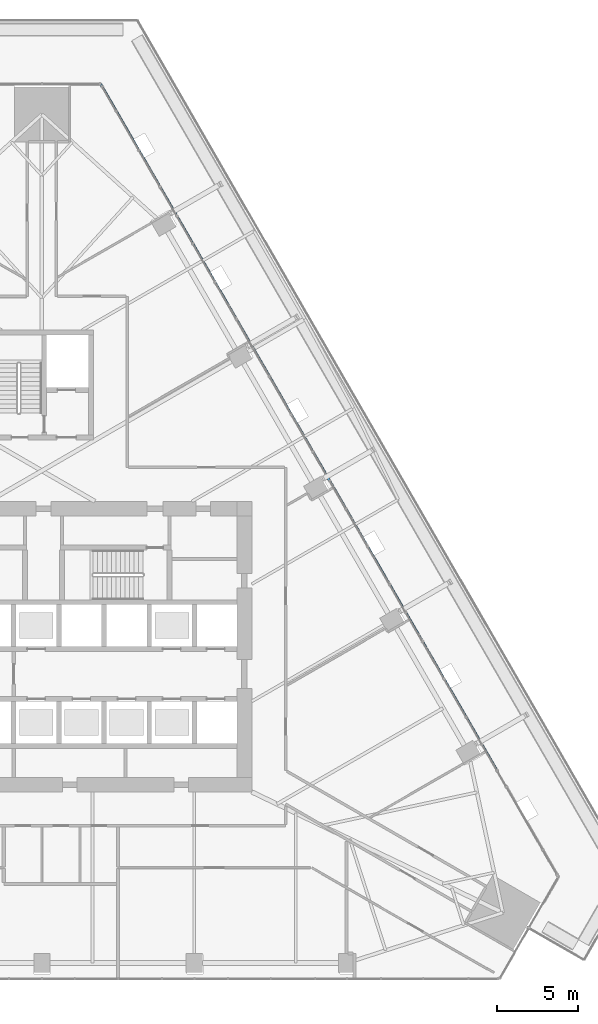
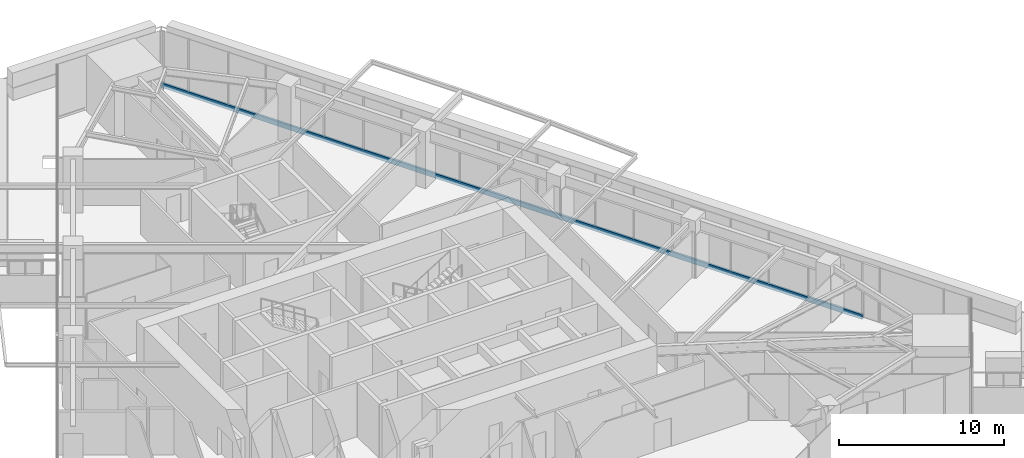
# One storey, part 10 of 29: 1 member, 1 element without a shape of its own.
"""IFC4 building model written with IfcOpenShell, lengths in metres."""

import ifcopenshell
import ifcopenshell.guid

model = None  # the IFC model being written
_history = None  # IfcOwnerHistory: only IFC2X3 demands one
_inside = {}  # id of a spatial element -> (the spatial element, [elements in it])
_under = {}  # id of a project, library or spatial element -> (it, [spatial elements below it])
_declared = {}  # id of a project -> (the project, [libraries it declares])
_typed = {}  # id of a type object -> (the type object, [elements of that type])
_made_of = {}  # id of a material, layer set ... -> (it, [elements and type objects made of it])


def new_model(schema):
    """Start an empty IFC model of exactly this schema.

    Asked for "IFC4X3", IfcOpenShell would pick the latest addendum, in which some entities
    have other attributes; the version numbers below select the first issue.
    IFC2X3 requires an IfcOwnerHistory on every rooted entity: one is made here for all.
    """
    global model, _history
    if schema == "IFC4X3":
        model = ifcopenshell.file(schema_version=(4, 3, 0, 0))
    else:
        model = ifcopenshell.file(schema=schema)
    _inside.clear()
    _under.clear()
    _declared.clear()
    _typed.clear()
    _made_of.clear()
    _history = None
    if model.schema == "IFC2X3":
        org = make("IfcOrganization", Name="unknown")
        user = make(
            "IfcPersonAndOrganization",
            ThePerson=make("IfcPerson", FamilyName="unknown"),
            TheOrganization=org,
        )
        app = make(
            "IfcApplication",
            ApplicationDeveloper=org,
            Version="unknown",
            ApplicationFullName="unknown",
            ApplicationIdentifier="unknown",
        )
        _history = make(
            "IfcOwnerHistory",
            OwningUser=user,
            OwningApplication=app,
            ChangeAction="ADDED",
            CreationDate=0,
        )
    return model


def make(cls, **values):
    """One entity of the class cls with the attributes given. An attribute that is None is left unset."""
    return model.create_entity(
        cls, **{name: value for name, value in values.items() if value is not None}
    )


def rooted(cls, **values):
    """An entity with a GlobalId (a new one), such as an element, a storey or a relation."""
    return make(cls, GlobalId=ifcopenshell.guid.new(), OwnerHistory=_history, **values)


def si_unit(unit_type, name, prefix=None):
    """IfcSIUnit, for example si_unit("LENGTHUNIT", "METRE", prefix="MILLI")."""
    return make("IfcSIUnit", UnitType=unit_type, Prefix=prefix, Name=name)


def assignment(units):
    """IfcUnitAssignment: the units of a project."""
    return None if units is None else make("IfcUnitAssignment", Units=units)


def point(xyz):
    """IfcCartesianPoint."""
    return None if xyz is None else make("IfcCartesianPoint", Coordinates=xyz)


def direction(xyz):
    """IfcDirection."""
    return None if xyz is None else make("IfcDirection", DirectionRatios=xyz)


def frame(location, z_axis=None, x_axis=None):
    """IfcAxis2Placement3D, a coordinate frame: its origin and axes. An axis left out is left unset."""
    return make(
        "IfcAxis2Placement3D",
        Location=point(location),
        Axis=direction(z_axis),
        RefDirection=direction(x_axis),
    )


def frame_2d(location, x_axis=None):
    """IfcAxis2Placement2D, a coordinate frame in the plane: its origin and x axis."""
    return make(
        "IfcAxis2Placement2D", Location=point(location), RefDirection=direction(x_axis)
    )


def origin():
    """The frame at (0, 0, 0) with its axes left unset."""
    return frame((0.0, 0.0, 0.0))


def origin_2d():
    """The frame at (0, 0) in the plane with its x axis left unset."""
    return frame_2d((0.0, 0.0))


def place(relative_to, where):
    """IfcLocalPlacement: puts the frame where relative to a parent placement (None: the world)."""
    return make(
        "IfcLocalPlacement", PlacementRelTo=relative_to, RelativePlacement=where
    )


def context(
    kind, dimensions, precision=None, world=None, true_north=None, identifier=None
):
    """IfcGeometricRepresentationContext, for example the 3D "Model" context."""
    return make(
        "IfcGeometricRepresentationContext",
        ContextIdentifier=identifier,
        ContextType=kind,
        CoordinateSpaceDimension=dimensions,
        Precision=precision,
        WorldCoordinateSystem=world,
        TrueNorth=true_north,
    )


def subcontext(parent, identifier, kind, view, scale=None):
    """IfcGeometricRepresentationSubContext, for example "Body" below "Model"."""
    return make(
        "IfcGeometricRepresentationSubContext",
        ContextIdentifier=identifier,
        ContextType=kind,
        ParentContext=parent,
        TargetScale=scale,
        TargetView=view,
    )


def project(units=None, contexts=None):
    """IfcProject with its units and contexts."""
    return rooted(
        "IfcProject",
        Name="project",
        RepresentationContexts=contexts,
        UnitsInContext=assignment(units),
    )


def spatial(cls, under=None, at=None, **own):
    """A site, building, storey or space (cls), placed at a placement, below another one or the project."""
    s = rooted(cls, ObjectPlacement=at, **own)
    if under is not None:
        _under.setdefault(under.id(), (under, []))[1].append(s)
    return s


def profile(cls, at=None, kind="AREA", **sizes):
    """A parametric profile (cls). Its sizes go by their IFC names, for example OverallWidth=200.0."""
    return make(cls, ProfileType=kind, Position=at, **sizes)


def rectangle(**sizes):
    """IfcRectangleProfileDef."""
    return profile("IfcRectangleProfileDef", **sizes)


def extrude(swept, where, along, depth):
    """IfcExtrudedAreaSolid: the profile swept, set in the frame where, extruded along a direction by depth."""
    return make(
        "IfcExtrudedAreaSolid",
        SweptArea=swept,
        Position=where,
        ExtrudedDirection=direction(along),
        Depth=depth,
    )


def shape(context_of_items, identifier, shape_type, items):
    """IfcShapeRepresentation: the items that make up one representation, for example the "Body"."""
    return make(
        "IfcShapeRepresentation",
        ContextOfItems=context_of_items,
        RepresentationIdentifier=identifier,
        RepresentationType=shape_type,
        Items=items,
    )


def material(Name=None, Category=None):
    """IfcMaterial."""
    return make("IfcMaterial", Name=Name, Category=Category)


def layer(
    of_material, thickness, ventilated=None, Name=None, Category=None, Priority=None
):
    """IfcMaterialLayer: one layer of a wall or slab, of a material (None: an air gap)."""
    return make(
        "IfcMaterialLayer",
        Material=of_material,
        LayerThickness=thickness,
        IsVentilated=ventilated,
        Name=Name,
        Category=Category,
        Priority=Priority,
    )


def layer_set(layers, Name=None):
    """IfcMaterialLayerSet."""
    return make("IfcMaterialLayerSet", MaterialLayers=layers, LayerSetName=Name)


def material_profile(
    of_material, cross_section, Name=None, Category=None, Priority=None
):
    """IfcMaterialProfile: a cross section and its material."""
    return make(
        "IfcMaterialProfile",
        Name=Name,
        Material=of_material,
        Profile=cross_section,
        Priority=Priority,
        Category=Category,
    )


def profile_set(profiles, Name=None, composite=None):
    """IfcMaterialProfileSet."""
    return make(
        "IfcMaterialProfileSet",
        Name=Name,
        MaterialProfiles=profiles,
        CompositeProfile=composite,
    )


def made_of(thing, what):
    """Note that an element or type object is made of a material, layer set ...; save() writes the relation."""
    if what is not None:
        _made_of.setdefault(what.id(), (what, []))[1].append(thing)
    return thing


def type_object(cls, material=None, **own):
    """A type object (cls), such as IfcWallType, which elements share."""
    return made_of(rooted(cls, **own), material)


def element(
    cls,
    number,
    at=None,
    inside=None,
    cuts=None,
    type_object=None,
    material=None,
    context=None,
    identifier="Body",
    shape_type=None,
    held_by="IfcProductDefinitionShape",
    body=None,
    shapes=None,
    **own,
):
    """One element of the class cls, such as IfcWall. Its Tag is "e" and its number.

    at: its placement. inside: the storey or other place that contains it. cuts: it is an
    opening in that element (IfcRelVoidsElement). A single representation is given by context,
    identifier, shape_type and body (its items); several are given by shapes. held_by: the class
    of the entity that holds the representations. save() writes the other relations.
    """
    e = rooted(cls, Tag="e%d" % number, ObjectPlacement=at, **own)
    if body is not None:
        shapes = [shape(context, identifier, shape_type, body)]
    if shapes is not None:
        e.Representation = make(held_by, Representations=shapes)
    if inside is not None:
        _inside.setdefault(inside.id(), (inside, []))[1].append(e)
    if cuts is not None:
        rooted(
            "IfcRelVoidsElement", RelatingBuildingElement=cuts, RelatedOpeningElement=e
        )
    if type_object is not None:
        _typed.setdefault(type_object.id(), (type_object, []))[1].append(e)
    return made_of(e, material)


def aggregate(whole, parts):
    """IfcRelAggregates: a whole, such as a stair, and the parts it consists of."""
    return rooted("IfcRelAggregates", RelatingObject=whole, RelatedObjects=parts)


def save(model, path):
    """Write the relations noted so far, then the file.

    IfcRelAggregates (storeys below a building ...), IfcRelContainedInSpatialStructure (elements
    in a storey), IfcRelDefinesByType, IfcRelAssociatesMaterial and IfcRelDeclares: one each for
    every whole, place, type object, material and project.
    """
    for whole, parts in _under.values():
        aggregate(whole, parts)
    for where, things in _inside.values():
        rooted(
            "IfcRelContainedInSpatialStructure",
            RelatedElements=things,
            RelatingStructure=where,
        )
    for kind, things in _typed.values():
        rooted("IfcRelDefinesByType", RelatedObjects=things, RelatingType=kind)
    for what, things in _made_of.values():
        rooted("IfcRelAssociatesMaterial", RelatedObjects=things, RelatingMaterial=what)
    for by, libraries in _declared.values():
        rooted("IfcRelDeclares", RelatingContext=by, RelatedDefinitions=libraries)
    model.write(path)


model = new_model("IFC4")

# Units and contexts
model_context = context("Model", 3, precision=1e-05, world=origin(), true_north=direction((0.0, 1.0)))
body_context = subcontext(model_context, "Body", "Model", "MODEL_VIEW")
ifc_project = project(units=[si_unit("LENGTHUNIT", "METRE"), si_unit("AREAUNIT", "SQUARE_METRE"), si_unit("VOLUMEUNIT", "CUBIC_METRE"), si_unit("PLANEANGLEUNIT", "RADIAN"), si_unit("MASSUNIT", "GRAM", prefix="KILO")], contexts=[model_context])

# Site, building, storey
site_placement = place(None, origin())
site = spatial("IfcSite", under=ifc_project, at=site_placement, CompositionType="ELEMENT")
building_placement = place(site_placement, origin())
building = spatial("IfcBuilding", under=site, at=building_placement, Name="Firuza Gate Tower and Library", CompositionType="ELEMENT")
storey_placement = place(building_placement, frame((0.0, 0.0, 82.0)))
storey = spatial("IfcBuildingStorey", under=building, at=storey_placement, Name="L18", CompositionType="ELEMENT", Elevation=82.0)

# Curtain wall, member
ifc_material_1 = material(Name="Aluminium 6063-T6", Category="aluminium")
ifc_layer = layer(ifc_material_1, 0.14990234375)
ifc_layer_set = layer_set([ifc_layer], Name="Unitised curtain wall, offices")
curtain_wall_type = type_object("IfcCurtainWallType", Name="Unitised curtain wall, offices", PredefinedType="NOTDEFINED", material=ifc_layer_set)
curtain_wall_placement = place(storey_placement, origin())
curtain_wall = element("IfcCurtainWall", 1, at=curtain_wall_placement, inside=storey, type_object=curtain_wall_type, Name="CW1 L18 E face", PredefinedType="NOTDEFINED")
ifc_material_2 = material(Name="Aluminium 6063-T6", Category="aluminium")
ifc_material_profile = material_profile(ifc_material_2, rectangle(XDim=0.14990234375, YDim=0.35009765625, at=origin_2d()))
ifc_profile_set = profile_set([ifc_material_profile], Name="Aluminium 6063-T6")
member_type = type_object("IfcMemberType", Name="Curtain wall transom 350x150", PredefinedType="USERDEFINED", material=ifc_profile_set)
member_placement = place(storey_placement, frame((103.18505859375, 67.333740234375, -0.02490234375), z_axis=(-0.499999877943, 0.866025474254, 0.0), x_axis=(-0.866025474254, -0.499999877943, 0.0)))
member = element("IfcMember", 2, at=member_placement, type_object=member_type, Name="Transom", ObjectType="TRANSOM", PredefinedType="USERDEFINED", context=body_context, shape_type="SweptSolid", body=[
    extrude(rectangle(XDim=0.14990234375, YDim=0.35009765625, at=origin_2d()), origin(), (0.0, 0.0, 1.0), 49.08349609375),
])
aggregate(curtain_wall, [member])

save(model, "model.ifc")
